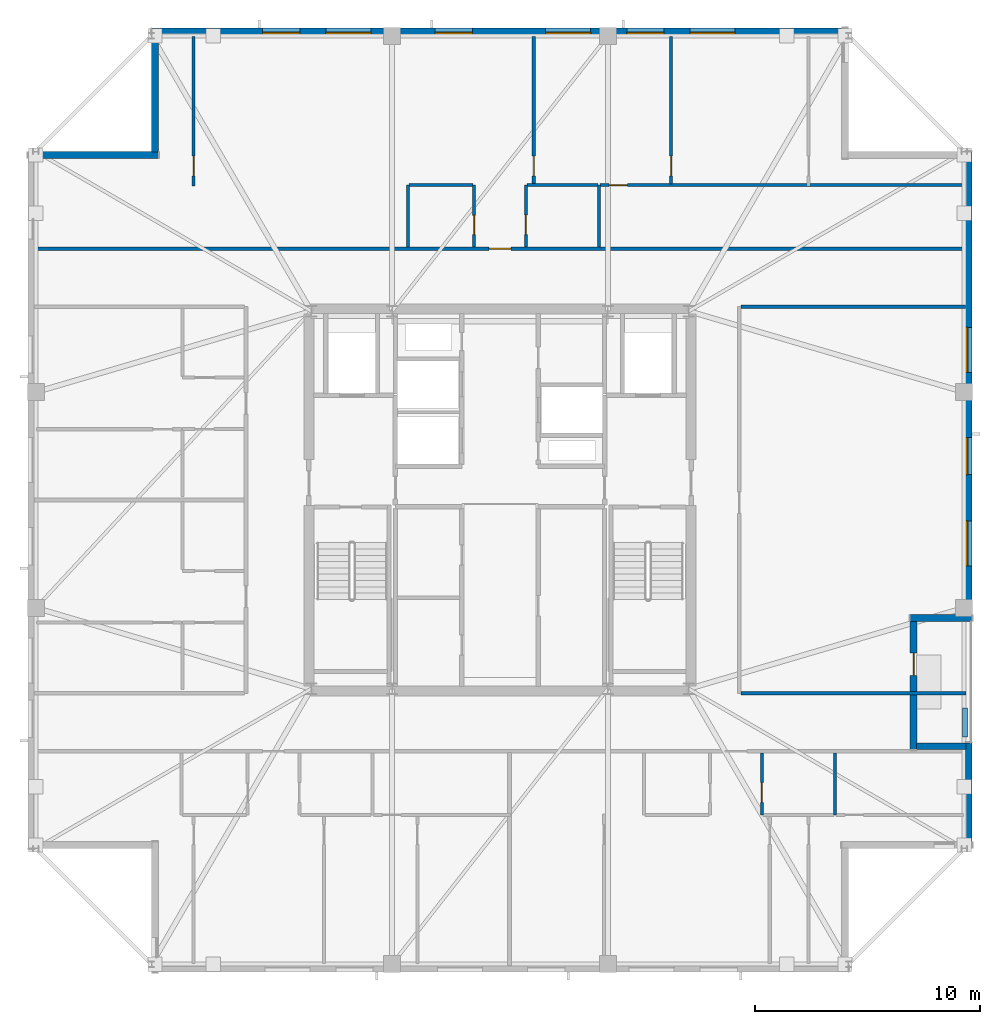
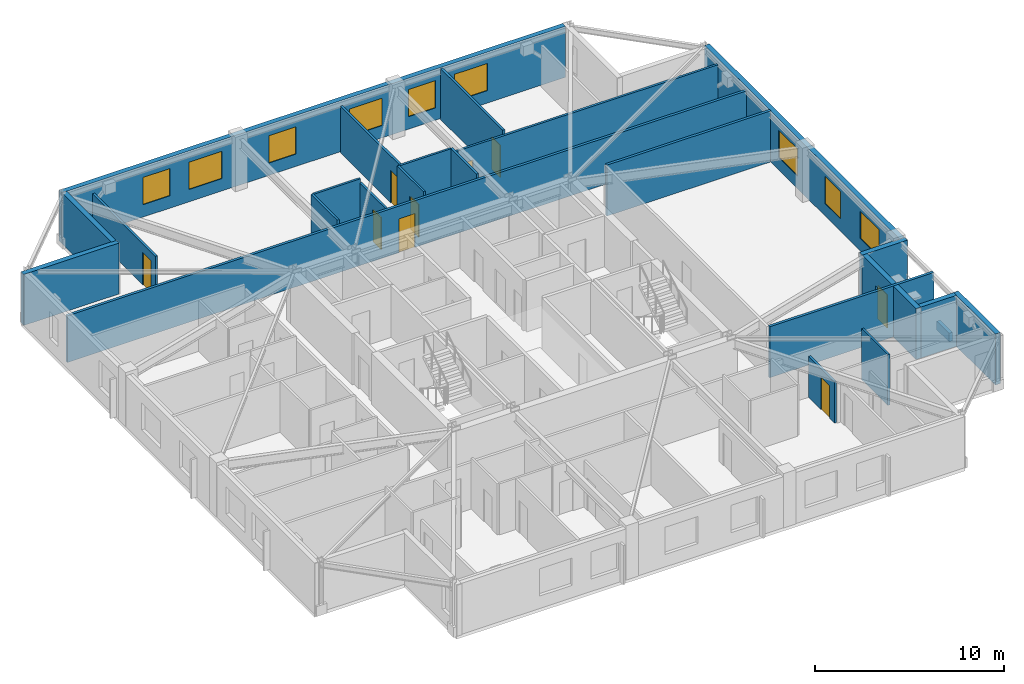
# One storey, part 10 of 15: 24 walls, 9 doors, 9 windows, 18 openings.
"""IFC4 building model written with IfcOpenShell, lengths in metres."""

from ifc_helpers import new_model, si_unit, direction, frame, frame_2d, origin, place, context, subcontext, project, spatial, rectangle, extrude, material, layer, layer_set, type_object, element, fill, save


model = new_model("IFC4")

# Units and contexts
model_context = context("Model", 3, precision=1e-05, world=origin(), true_north=direction((0.0, 1.0)))
body_context = subcontext(model_context, "Body", "Model", "MODEL_VIEW")
ifc_project = project(units=[si_unit("LENGTHUNIT", "METRE"), si_unit("AREAUNIT", "SQUARE_METRE"), si_unit("VOLUMEUNIT", "CUBIC_METRE"), si_unit("PLANEANGLEUNIT", "RADIAN"), si_unit("MASSUNIT", "GRAM", prefix="KILO")], contexts=[model_context])

# Site, building, storey
site_placement = place(None, origin())
site = spatial("IfcSite", under=ifc_project, at=site_placement, CompositionType="ELEMENT")
building_placement = place(site_placement, origin())
building = spatial("IfcBuilding", under=site, at=building_placement, Name="Cairnveth Concourse Tower", CompositionType="ELEMENT")
storey_placement = place(building_placement, frame((0.0, 0.0, 298.0)))
storey = spatial("IfcBuildingStorey", under=building, at=storey_placement, Name="L82", CompositionType="ELEMENT", Elevation=298.0)

# Wall, opening, door
ifc_material_1 = material(Name="Gypsum Plasterboard Partition", Category="gypsum")
ifc_layer_1 = layer(ifc_material_1, 0.159912109375)
ifc_layer_set_1 = layer_set([ifc_layer_1], Name="Gypsum Plasterboard Partition")
wall_type_1 = type_object("IfcWallType", Name="ACOUSTIC PARTY WALL 180", PredefinedType="PARTITIONING", material=ifc_layer_set_1)
wall_1_placement = place(storey_placement, frame((31.284912109375, 50.177490234375, 0.0), z_axis=(0.0, 0.0, 1.0), x_axis=(1.0, 0.0, 0.0)))
wall_1 = element("IfcWall", 1, at=wall_1_placement, inside=storey, type_object=wall_type_1, Name="Interior Wall IW-L82-035", PredefinedType="PARTITIONING", context=body_context, shape_type="SweptSolid", body=[
    extrude(rectangle(XDim=41.43017578125, YDim=0.159912109375, at=frame_2d((20.715087890625, 0.0))), origin(), (0.0, 0.0, 1.0), 3.009033203125),
])
opening_1_placement = place(wall_1_placement, frame((20.235107421875, 0.0, 0.0)))
opening_1 = element("IfcOpeningElement", 2, at=opening_1_placement, cuts=wall_1, Name="Opening ID10", PredefinedType="OPENING", context=body_context, shape_type="SweptSolid", body=[
    extrude(rectangle(XDim=0.9599609375, YDim=2.179931640625, at=frame_2d((0.47998046875, 1.08984375))), frame((0.0, 0.08984375, 0.0), z_axis=(0.0, -1.0, 0.0), x_axis=(1.0, 0.0, 0.0)), (0.0, 0.0, 1.0), 0.179931640625),
])
ifc_material_2 = material(Name="Solid Core Hardwood Timber Leaf", Category="wood")
door_type_1 = type_object("IfcDoorType", Name="FLAT ENTRANCE DOOR 960X2150", OperationType="NOTDEFINED", PredefinedType="DOOR", material=ifc_material_2)
door_1_placement = place(opening_1_placement, origin())
door_1 = element("IfcDoor", 3, at=door_1_placement, inside=storey, type_object=door_type_1, Name="Penthouse L82PN1 Entrance Door", OperationType="SINGLE_SWING_LEFT", OverallHeight=2.179931640625, OverallWidth=0.9599609375, PredefinedType="DOOR", context=body_context, shape_type="SweptSolid", body=[
    extrude(rectangle(XDim=0.9599609375, YDim=2.179931640625, at=frame_2d((0.47998046875, 1.08984375))), frame((0.0, 0.02490234375, 0.0), z_axis=(0.0, -1.0, 0.0), x_axis=(1.0, 0.0, 0.0)), (0.0, 0.0, 1.0), 0.050048828125),
])
fill(opening_1, door_1)

# Walls
wall_2_placement = place(storey_placement, frame((62.715087890625, 30.39990234375, 0.0), z_axis=(0.0, 0.0, 1.0), x_axis=(1.0, 0.0, 0.0)))
element("IfcWall", 4, at=wall_2_placement, inside=storey, type_object=wall_type_1, Name="Interior Wall IW-L82-040", PredefinedType="PARTITIONING", context=body_context, shape_type="SweptSolid", body=[
    extrude(rectangle(XDim=10.014892578125, YDim=0.159912109375, at=frame_2d((5.00732421875, 0.0))), origin(), (0.0, 0.0, 1.0), 3.2900390625),
])
wall_3_placement = place(storey_placement, frame((62.715087890625, 47.60009765625, 0.0), z_axis=(0.0, 0.0, 1.0), x_axis=(1.0, 0.0, 0.0)))
element("IfcWall", 5, at=wall_3_placement, inside=storey, type_object=wall_type_1, Name="Interior Wall IW-L82-041", PredefinedType="PARTITIONING", context=body_context, shape_type="SweptSolid", body=[
    extrude(rectangle(XDim=10.0, YDim=0.159912109375, at=frame_2d((5.0, 0.0))), origin(), (0.0, 0.0, 1.0), 3.2900390625),
])

# Wall, opening, door
ifc_layer_2 = layer(ifc_material_1, 0.139892578125)
ifc_layer_set_2 = layer_set([ifc_layer_2], Name="Gypsum Plasterboard Partition")
wall_type_2 = type_object("IfcWallType", Name="GYPSUM STUD PARTITION 140", PredefinedType="PARTITIONING", material=ifc_layer_set_2)
wall_4_placement = place(storey_placement, frame((38.3701171875, 52.967529296875, 0.0), z_axis=(0.0, 0.0, 1.0), x_axis=(0.0, 1.0, 0.0)))
wall_4 = element("IfcWall", 6, at=wall_4_placement, inside=storey, type_object=wall_type_2, Name="Interior Wall IW-L82-069", PredefinedType="PARTITIONING", context=body_context, shape_type="SweptSolid", body=[
    extrude(rectangle(XDim=6.652587890625, YDim=0.139892578125, at=frame_2d((3.326171875, 0.0))), origin(), (0.0, 0.0, 1.0), 2.653076171875),
])
opening_2_placement = place(wall_4_placement, frame((0.449951171875, 0.0, 0.0)))
opening_2 = element("IfcOpeningElement", 7, at=opening_2_placement, cuts=wall_4, Name="Opening ID18", PredefinedType="OPENING", context=body_context, shape_type="SweptSolid", body=[
    extrude(rectangle(XDim=0.8798828125, YDim=2.10009765625, at=frame_2d((0.43994140625, 1.050048828125))), frame((0.0, 0.079833984375, 0.0), z_axis=(0.0, -1.0, 0.0), x_axis=(1.0, 0.0, 0.0)), (0.0, 0.0, 1.0), 0.159912109375),
])
door_type_2 = type_object("IfcDoorType", Name="INTERIOR SINGLE DOOR 880X2100", OperationType="NOTDEFINED", PredefinedType="DOOR", material=ifc_material_2)
door_2_placement = place(opening_2_placement, origin())
door_2 = element("IfcDoor", 8, at=door_2_placement, inside=storey, type_object=door_type_2, Name="L82PN1 Master Bedroom Door", OperationType="SINGLE_SWING_RIGHT", OverallHeight=2.10009765625, OverallWidth=0.8798828125, PredefinedType="DOOR", context=body_context, shape_type="SweptSolid", body=[
    extrude(rectangle(XDim=0.8798828125, YDim=2.10009765625, at=frame_2d((0.43994140625, 1.050048828125))), frame((0.0, 0.02490234375, 0.0), z_axis=(0.0, -1.0, 0.0), x_axis=(1.0, 0.0, 0.0)), (0.0, 0.0, 1.0), 0.050048828125),
])
fill(opening_2, door_2)

wall_5_placement = place(storey_placement, frame((56.449951171875, 53.007568359375, 0.0), z_axis=(0.0, 0.0, 1.0), x_axis=(1.0, 0.0, 0.0)))
wall_5 = element("IfcWall", 9, at=wall_5_placement, inside=storey, type_object=wall_type_2, Name="Interior Wall IW-L82-071", PredefinedType="PARTITIONING", context=body_context, shape_type="SweptSolid", body=[
    extrude(rectangle(XDim=16.179931640625, YDim=0.139892578125, at=frame_2d((8.08984375, 0.0))), origin(), (0.0, 0.0, 1.0), 3.009033203125),
])
opening_3_placement = place(wall_5_placement, frame((0.39990234375, 0.0, 0.0)))
opening_3 = element("IfcOpeningElement", 10, at=opening_3_placement, cuts=wall_5, Name="Opening ID22", PredefinedType="OPENING", context=body_context, shape_type="SweptSolid", body=[
    extrude(rectangle(XDim=0.820068359375, YDim=2.10009765625, at=frame_2d((0.41015625, 1.050048828125))), frame((0.0, 0.079833984375, 0.0), z_axis=(0.0, -1.0, 0.0), x_axis=(1.0, 0.0, 0.0)), (0.0, 0.0, 1.0), 0.159912109375),
])
door_type_3 = type_object("IfcDoorType", Name="INTERIOR WC DOOR 820X2100", OperationType="NOTDEFINED", PredefinedType="DOOR", material=ifc_material_2)
door_3_placement = place(opening_3_placement, origin())
door_3 = element("IfcDoor", 11, at=door_3_placement, inside=storey, type_object=door_type_3, Name="L82PN1 Utility Door", OperationType="SINGLE_SWING_LEFT", OverallHeight=2.10009765625, OverallWidth=0.820068359375, PredefinedType="DOOR", context=body_context, shape_type="SweptSolid", body=[
    extrude(rectangle(XDim=0.820068359375, YDim=2.10009765625, at=frame_2d((0.41015625, 1.050048828125))), frame((0.0, 0.02490234375, 0.0), z_axis=(0.0, -1.0, 0.0), x_axis=(1.0, 0.0, 0.0)), (0.0, 0.0, 1.0), 0.050048828125),
])
fill(opening_3, door_3)

wall_6_placement = place(storey_placement, frame((53.5, 53.0576171875, 0.0), z_axis=(0.0, 0.0, 1.0), x_axis=(0.0, 1.0, 0.0)))
wall_6 = element("IfcWall", 12, at=wall_6_placement, inside=storey, type_object=wall_type_2, Name="Interior Wall IW-L82-072", PredefinedType="PARTITIONING", context=body_context, shape_type="SweptSolid", body=[
    extrude(rectangle(XDim=6.5625, YDim=0.139892578125, at=frame_2d((3.28125, 0.0))), origin(), (0.0, 0.0, 1.0), 3.009033203125),
])
opening_4_placement = place(wall_6_placement, frame((0.360107421875, 0.0, 0.0)))
opening_4 = element("IfcOpeningElement", 13, at=opening_4_placement, cuts=wall_6, Name="Opening ID18", PredefinedType="OPENING", context=body_context, shape_type="SweptSolid", body=[
    extrude(rectangle(XDim=0.8798828125, YDim=2.10009765625, at=frame_2d((0.43994140625, 1.050048828125))), frame((0.0, 0.079833984375, 0.0), z_axis=(0.0, -1.0, 0.0), x_axis=(1.0, 0.0, 0.0)), (0.0, 0.0, 1.0), 0.159912109375),
])
door_4_placement = place(opening_4_placement, origin())
door_4 = element("IfcDoor", 14, at=door_4_placement, inside=storey, type_object=door_type_2, Name="L82PN1 Media Lounge Door", OperationType="SINGLE_SWING_LEFT", OverallHeight=2.10009765625, OverallWidth=0.8798828125, PredefinedType="DOOR", context=body_context, shape_type="SweptSolid", body=[
    extrude(rectangle(XDim=0.8798828125, YDim=2.10009765625, at=frame_2d((0.43994140625, 1.050048828125))), frame((0.0, 0.02490234375, 0.0), z_axis=(0.0, -1.0, 0.0), x_axis=(1.0, 0.0, 0.0)), (0.0, 0.0, 1.0), 0.050048828125),
])
fill(opening_4, door_4)

wall_7_placement = place(storey_placement, frame((59.614990234375, 53.0625, 0.0), z_axis=(0.0, 0.0, 1.0), x_axis=(0.0, 1.0, 0.0)))
wall_7 = element("IfcWall", 15, at=wall_7_placement, inside=storey, type_object=wall_type_2, Name="Interior Wall IW-L82-073", PredefinedType="PARTITIONING", context=body_context, shape_type="SweptSolid", body=[
    extrude(rectangle(XDim=6.5576171875, YDim=0.139892578125, at=frame_2d((3.27880859375, 0.0))), origin(), (0.0, 0.0, 1.0), 3.2900390625),
])
opening_5_placement = place(wall_7_placement, frame((0.35498046875, 0.0, 0.0)))
opening_5 = element("IfcOpeningElement", 16, at=opening_5_placement, cuts=wall_7, Name="Opening ID18", PredefinedType="OPENING", context=body_context, shape_type="SweptSolid", body=[
    extrude(rectangle(XDim=0.8798828125, YDim=2.10009765625, at=frame_2d((0.43994140625, 1.050048828125))), frame((0.0, 0.079833984375, 0.0), z_axis=(0.0, -1.0, 0.0), x_axis=(1.0, 0.0, 0.0)), (0.0, 0.0, 1.0), 0.159912109375),
])
door_5_placement = place(opening_5_placement, origin())
door_5 = element("IfcDoor", 17, at=door_5_placement, inside=storey, type_object=door_type_2, Name="L82PN1 Library Salon Door", OperationType="SINGLE_SWING_RIGHT", OverallHeight=2.10009765625, OverallWidth=0.8798828125, PredefinedType="DOOR", context=body_context, shape_type="SweptSolid", body=[
    extrude(rectangle(XDim=0.8798828125, YDim=2.10009765625, at=frame_2d((0.43994140625, 1.050048828125))), frame((0.0, 0.02490234375, 0.0), z_axis=(0.0, -1.0, 0.0), x_axis=(1.0, 0.0, 0.0)), (0.0, 0.0, 1.0), 0.050048828125),
])
fill(opening_5, door_5)

# Walls
ifc_material_3 = material(Name="Dressed Melbourne Bluestone Cladding", Category="masonry")
ifc_layer_3 = layer(ifc_material_3, 0.219970703125)
ifc_layer_set_3 = layer_set([ifc_layer_3], Name="Dressed Melbourne Bluestone Cladding")
wall_type_3 = type_object("IfcWallType", Name="TERRACE PLANTER CURB WALL 220", PredefinedType="PARAPET", material=ifc_layer_set_3)
wall_8_placement = place(storey_placement, frame((72.679931640625, 28.449951171875, 0.0), z_axis=(0.0, 0.0, 1.0), x_axis=(0.0, 1.0, 0.0)))
element("IfcWall", 18, at=wall_8_placement, inside=storey, type_object=wall_type_3, Name="Exterior Wall PLNT-L82-TERR", PredefinedType="PARAPET", context=body_context, shape_type="SweptSolid", body=[
    extrude(rectangle(XDim=1.300048828125, YDim=0.219970703125, at=frame_2d((0.64990234375, 0.0))), origin(), (0.0, 0.0, 1.0), 0.550048828125),
])
ifc_layer_4 = layer(ifc_material_1, 0.1298828125)
ifc_layer_set_4 = layer_set([ifc_layer_4], Name="Gypsum Plasterboard Partition")
wall_type_4 = type_object("IfcWallType", Name="WET AREA PARTITION 140", PredefinedType="PLUMBINGWALL", material=ifc_layer_set_4)
wall_9_placement = place(storey_placement, frame((66.901123046875, 24.992431640625, 0.0), z_axis=(0.0, 0.0, 1.0), x_axis=(0.0, 1.0, 0.0)))
element("IfcWall", 19, at=wall_9_placement, inside=storey, type_object=wall_type_4, Name="Interior Wall IW-L82-056", PredefinedType="PLUMBINGWALL", context=body_context, shape_type="SweptSolid", body=[
    extrude(rectangle(XDim=2.75, YDim=0.1298828125, at=frame_2d((1.375, 0.0))), origin(), (0.0, 0.0, 1.0), 3.2900390625),
])

# Wall, opening, door
wall_10_placement = place(storey_placement, frame((63.651123046875, 24.992431640625, 0.0), z_axis=(0.0, 0.0, 1.0), x_axis=(0.0, 1.0, 0.0)))
wall_10 = element("IfcWall", 20, at=wall_10_placement, inside=storey, type_object=wall_type_4, Name="Interior Wall IW-L82-057", PredefinedType="PLUMBINGWALL", context=body_context, shape_type="SweptSolid", body=[
    extrude(rectangle(XDim=2.75, YDim=0.1298828125, at=frame_2d((1.375, 0.0))), origin(), (0.0, 0.0, 1.0), 2.653076171875),
])
opening_6_placement = place(wall_10_placement, frame((0.550048828125, 0.0, 0.0)))
opening_6 = element("IfcOpeningElement", 21, at=opening_6_placement, cuts=wall_10, Name="Opening ID18", PredefinedType="OPENING", context=body_context, shape_type="SweptSolid", body=[
    extrude(rectangle(XDim=0.8798828125, YDim=2.10009765625, at=frame_2d((0.43994140625, 1.050048828125))), frame((0.0, 0.074951171875, 0.0), z_axis=(0.0, -1.0, 0.0), x_axis=(1.0, 0.0, 0.0)), (0.0, 0.0, 1.0), 0.14990234375),
])
door_6_placement = place(opening_6_placement, origin())
door_6 = element("IfcDoor", 22, at=door_6_placement, inside=storey, type_object=door_type_2, Name="L82PS2 Kitchen Door", OperationType="SINGLE_SWING_RIGHT", OverallHeight=2.10009765625, OverallWidth=0.8798828125, PredefinedType="DOOR", context=body_context, shape_type="SweptSolid", body=[
    extrude(rectangle(XDim=0.8798828125, YDim=2.10009765625, at=frame_2d((0.43994140625, 1.050048828125))), frame((0.0, 0.02490234375, 0.0), z_axis=(0.0, -1.0, 0.0), x_axis=(1.0, 0.0, 0.0)), (0.0, 0.0, 1.0), 0.050048828125),
])
fill(opening_6, door_6)

# Wall
wall_11_placement = place(storey_placement, frame((47.89990234375, 50.257568359375, 0.0), z_axis=(0.0, 0.0, 1.0), x_axis=(0.0, 1.0, 0.0)))
element("IfcWall", 23, at=wall_11_placement, inside=storey, type_object=wall_type_4, Name="Interior Wall IW-L82-063", PredefinedType="PLUMBINGWALL", context=body_context, shape_type="SweptSolid", body=[
    extrude(rectangle(XDim=2.75, YDim=0.1298828125, at=frame_2d((1.375, 0.0))), origin(), (0.0, 0.0, 1.0), 3.2900390625),
])

# Wall, opening, door
wall_12_placement = place(storey_placement, frame((50.85009765625, 50.257568359375, 0.0), z_axis=(0.0, 0.0, 1.0), x_axis=(0.0, 1.0, 0.0)))
wall_12 = element("IfcWall", 24, at=wall_12_placement, inside=storey, type_object=wall_type_4, Name="Interior Wall IW-L82-064", PredefinedType="PLUMBINGWALL", context=body_context, shape_type="SweptSolid", body=[
    extrude(rectangle(XDim=2.75, YDim=0.1298828125, at=frame_2d((1.375, 0.0))), origin(), (0.0, 0.0, 1.0), 3.009033203125),
])
opening_7_placement = place(wall_12_placement, frame((0.550048828125, 0.0, 0.0)))
opening_7 = element("IfcOpeningElement", 25, at=opening_7_placement, cuts=wall_12, Name="Opening ID21", PredefinedType="OPENING", context=body_context, shape_type="SweptSolid", body=[
    extrude(rectangle(XDim=0.85009765625, YDim=2.080078125, at=frame_2d((0.425048828125, 1.0400390625))), frame((0.0, 0.074951171875, 0.0), z_axis=(0.0, -1.0, 0.0), x_axis=(1.0, 0.0, 0.0)), (0.0, 0.0, 1.0), 0.14990234375),
])
door_type_4 = type_object("IfcDoorType", Name="INTERIOR WC DOOR 850X2100", OperationType="NOTDEFINED", PredefinedType="DOOR", material=ifc_material_2)
door_7_placement = place(opening_7_placement, origin())
door_7 = element("IfcDoor", 26, at=door_7_placement, inside=storey, type_object=door_type_4, Name="L82PN1 Bathroom Door", OperationType="SINGLE_SWING_RIGHT", OverallHeight=2.080078125, OverallWidth=0.85009765625, PredefinedType="DOOR", context=body_context, shape_type="SweptSolid", body=[
    extrude(rectangle(XDim=0.85009765625, YDim=2.080078125, at=frame_2d((0.425048828125, 1.0400390625))), frame((0.0, 0.02490234375, 0.0), z_axis=(0.0, -1.0, 0.0), x_axis=(1.0, 0.0, 0.0)), (0.0, 0.0, 1.0), 0.050048828125),
])
fill(opening_7, door_7)

# Walls
wall_13_placement = place(storey_placement, frame((47.949951171875, 53.007568359375, 0.0), z_axis=(0.0, 0.0, 1.0), x_axis=(1.0, 0.0, 0.0)))
element("IfcWall", 27, at=wall_13_placement, inside=storey, type_object=wall_type_4, Name="Interior Wall IW-L82-065", PredefinedType="PLUMBINGWALL", context=body_context, shape_type="SweptSolid", body=[
    extrude(rectangle(XDim=2.85009765625, YDim=0.1298828125, at=frame_2d((1.425048828125, 0.0))), origin(), (0.0, 0.0, 1.0), 3.2900390625),
])
wall_14_placement = place(storey_placement, frame((56.39990234375, 50.257568359375, 0.0), z_axis=(0.0, 0.0, 1.0), x_axis=(0.0, 1.0, 0.0)))
element("IfcWall", 28, at=wall_14_placement, inside=storey, type_object=wall_type_4, Name="Interior Wall IW-L82-066", PredefinedType="PLUMBINGWALL", context=body_context, shape_type="SweptSolid", body=[
    extrude(rectangle(XDim=2.75, YDim=0.1298828125, at=frame_2d((1.375, 0.0))), origin(), (0.0, 0.0, 1.0), 3.2900390625),
])

# Wall, opening, door
wall_15_placement = place(storey_placement, frame((53.14990234375, 50.257568359375, 0.0), z_axis=(0.0, 0.0, 1.0), x_axis=(0.0, 1.0, 0.0)))
wall_15 = element("IfcWall", 29, at=wall_15_placement, inside=storey, type_object=wall_type_4, Name="Interior Wall IW-L82-067", PredefinedType="PLUMBINGWALL", context=body_context, shape_type="SweptSolid", body=[
    extrude(rectangle(XDim=2.75, YDim=0.1298828125, at=frame_2d((1.375, 0.0))), origin(), (0.0, 0.0, 1.0), 3.2900390625),
])
opening_8_placement = place(wall_15_placement, frame((0.550048828125, 0.0, 0.0)))
opening_8 = element("IfcOpeningElement", 30, at=opening_8_placement, cuts=wall_15, Name="Opening ID18", PredefinedType="OPENING", context=body_context, shape_type="SweptSolid", body=[
    extrude(rectangle(XDim=0.8798828125, YDim=2.10009765625, at=frame_2d((0.43994140625, 1.050048828125))), frame((0.0, 0.074951171875, 0.0), z_axis=(0.0, -1.0, 0.0), x_axis=(1.0, 0.0, 0.0)), (0.0, 0.0, 1.0), 0.14990234375),
])
door_8_placement = place(opening_8_placement, origin())
door_8 = element("IfcDoor", 31, at=door_8_placement, inside=storey, type_object=door_type_2, Name="L82PN1 Kitchen Door", OperationType="SINGLE_SWING_LEFT", OverallHeight=2.10009765625, OverallWidth=0.8798828125, PredefinedType="DOOR", context=body_context, shape_type="SweptSolid", body=[
    extrude(rectangle(XDim=0.8798828125, YDim=2.10009765625, at=frame_2d((0.43994140625, 1.050048828125))), frame((0.0, 0.02490234375, 0.0), z_axis=(0.0, -1.0, 0.0), x_axis=(1.0, 0.0, 0.0)), (0.0, 0.0, 1.0), 0.050048828125),
])
fill(opening_8, door_8)

# Walls
wall_16_placement = place(storey_placement, frame((53.199951171875, 53.007568359375, 0.0), z_axis=(0.0, 0.0, 1.0), x_axis=(1.0, 0.0, 0.0)))
element("IfcWall", 32, at=wall_16_placement, inside=storey, type_object=wall_type_4, Name="Interior Wall IW-L82-068", PredefinedType="PLUMBINGWALL", context=body_context, shape_type="SweptSolid", body=[
    extrude(rectangle(XDim=3.150146484375, YDim=0.1298828125, at=frame_2d((1.5751953125, 0.0))), origin(), (0.0, 0.0, 1.0), 3.2900390625),
])
ifc_material_4 = material(Name="Hawthorn Red-Ochre Fired Clay Brick Masonry", Category="masonry")
ifc_layer_5 = layer(ifc_material_4, 0.300048828125)
ifc_layer_set_5 = layer_set([ifc_layer_5], Name="Hawthorn Red-Ochre Fired Clay Brick Masonry")
wall_type_5 = type_object("IfcWallType", Name="ZONE 4 BRICK PIER SPANDREL WALL 300", PredefinedType="SOLIDWALL", material=ifc_layer_set_5)
wall_17_placement = place(storey_placement, frame((72.85009765625, 28.199951171875, 0.0), z_axis=(0.0, 0.0, 1.0), x_axis=(0.0, -1.0, 0.0)))
element("IfcWall", 33, at=wall_17_placement, inside=storey, type_object=wall_type_5, Name="Exterior Wall EW-L82-S00", PredefinedType="SOLIDWALL", context=body_context, shape_type="SweptSolid", body=[
    extrude(rectangle(XDim=4.421875, YDim=0.300048828125, at=frame_2d((2.2109375, 0.0))), origin(), (0.0, 0.0, 1.0), 3.2900390625),
])
wall_18_placement = place(storey_placement, frame((31.0, 54.35009765625, 0.0), z_axis=(0.0, 0.0, 1.0), x_axis=(1.0, 0.0, 0.0)))
element("IfcWall", 34, at=wall_18_placement, inside=storey, type_object=wall_type_5, Name="Exterior Wall EW-L82-S07", PredefinedType="SOLIDWALL", context=body_context, shape_type="SweptSolid", body=[
    extrude(rectangle(XDim=5.800048828125, YDim=0.300048828125, at=frame_2d((2.89990234375, 0.0))), origin(), (0.0, 0.0, 1.0), 3.2900390625),
])
wall_19_placement = place(storey_placement, frame((36.64990234375, 54.47802734375, 0.0), z_axis=(0.0, 0.0, 1.0), x_axis=(0.0, 1.0, 0.0)))
element("IfcWall", 35, at=wall_19_placement, inside=storey, type_object=wall_type_5, Name="Exterior Wall EW-L82-S08", PredefinedType="SOLIDWALL", context=body_context, shape_type="SweptSolid", body=[
    extrude(rectangle(XDim=5.243896484375, YDim=0.300048828125, at=frame_2d((2.6220703125, 0.0))), origin(), (0.0, 0.0, 1.0), 3.2900390625),
])

# Wall, openings, windows
wall_20_placement = place(storey_placement, frame((36.5, 59.85009765625, 0.0), z_axis=(0.0, 0.0, 1.0), x_axis=(1.0, 0.0, 0.0)))
wall_20 = element("IfcWall", 36, at=wall_20_placement, inside=storey, type_object=wall_type_5, Name="Exterior Wall EW-L82-S09", PredefinedType="SOLIDWALL", context=body_context, shape_type="SweptSolid", body=[
    extrude(rectangle(XDim=30.721923828125, YDim=0.300048828125, at=frame_2d((15.36083984375, 0.0))), origin(), (0.0, 0.0, 1.0), 3.2900390625),
])
opening_9_placement = place(wall_20_placement, frame((4.943603515625, 0.0, 0.800048828125)))
opening_9 = element("IfcOpeningElement", 37, at=opening_9_placement, cuts=wall_20, Name="Opening W04", PredefinedType="OPENING", context=body_context, shape_type="SweptSolid", body=[
    extrude(rectangle(XDim=1.64990234375, YDim=1.758056640625, at=frame_2d((0.824951171875, 0.87890625))), frame((0.0, 0.159912109375, 0.0), z_axis=(0.0, -1.0, 0.0), x_axis=(1.0, 0.0, 0.0)), (0.0, 0.0, 1.0), 0.320068359375),
])
opening_10_placement = place(wall_20_placement, frame((7.755615234375, 0.0, 0.800048828125)))
opening_10 = element("IfcOpeningElement", 38, at=opening_10_placement, cuts=wall_20, Name="Opening W09", PredefinedType="OPENING", context=body_context, shape_type="SweptSolid", body=[
    extrude(rectangle(XDim=2.0, YDim=1.758056640625, at=frame_2d((1.0, 0.87890625))), frame((0.0, 0.159912109375, 0.0), z_axis=(0.0, -1.0, 0.0), x_axis=(1.0, 0.0, 0.0)), (0.0, 0.0, 1.0), 0.320068359375),
])
opening_11_placement = place(wall_20_placement, frame((12.617431640625, 0.0, 0.800048828125)))
opening_11 = element("IfcOpeningElement", 39, at=opening_11_placement, cuts=wall_20, Name="Opening W04", PredefinedType="OPENING", context=body_context, shape_type="SweptSolid", body=[
    extrude(rectangle(XDim=1.64990234375, YDim=1.758056640625, at=frame_2d((0.824951171875, 0.87890625))), frame((0.0, 0.159912109375, 0.0), z_axis=(0.0, -1.0, 0.0), x_axis=(1.0, 0.0, 0.0)), (0.0, 0.0, 1.0), 0.320068359375),
])
opening_12_placement = place(wall_20_placement, frame((17.529541015625, 0.0, 0.800048828125)))
opening_12 = element("IfcOpeningElement", 40, at=opening_12_placement, cuts=wall_20, Name="Opening W09", PredefinedType="OPENING", context=body_context, shape_type="SweptSolid", body=[
    extrude(rectangle(XDim=2.0, YDim=1.758056640625, at=frame_2d((1.0, 0.87890625))), frame((0.0, 0.159912109375, 0.0), z_axis=(0.0, -1.0, 0.0), x_axis=(1.0, 0.0, 0.0)), (0.0, 0.0, 1.0), 0.320068359375),
])
opening_13_placement = place(wall_20_placement, frame((21.1416015625, 0.0, 0.800048828125)))
opening_13 = element("IfcOpeningElement", 41, at=opening_13_placement, cuts=wall_20, Name="Opening W04", PredefinedType="OPENING", context=body_context, shape_type="SweptSolid", body=[
    extrude(rectangle(XDim=1.64990234375, YDim=1.758056640625, at=frame_2d((0.824951171875, 0.87890625))), frame((0.0, 0.159912109375, 0.0), z_axis=(0.0, -1.0, 0.0), x_axis=(1.0, 0.0, 0.0)), (0.0, 0.0, 1.0), 0.320068359375),
])
opening_14_placement = place(wall_20_placement, frame((23.95361328125, 0.0, 0.800048828125)))
opening_14 = element("IfcOpeningElement", 42, at=opening_14_placement, cuts=wall_20, Name="Opening W09", PredefinedType="OPENING", context=body_context, shape_type="SweptSolid", body=[
    extrude(rectangle(XDim=2.0, YDim=1.758056640625, at=frame_2d((1.0, 0.87890625))), frame((0.0, 0.159912109375, 0.0), z_axis=(0.0, -1.0, 0.0), x_axis=(1.0, 0.0, 0.0)), (0.0, 0.0, 1.0), 0.320068359375),
])
ifc_material_5 = material(Name="Double Glazed Low-E Clear Glass", Category="glass")
window_type_1 = type_object("IfcWindowType", Name="DEEP-SET GOTHIC LANCET WINDOW 1650X1850", PartitioningType="DOUBLE_PANEL_VERTICAL", PredefinedType="WINDOW", material=ifc_material_5)
window_1_placement = place(opening_9_placement, origin())
window_1 = element("IfcWindow", 43, at=window_1_placement, inside=storey, type_object=window_type_1, Name="Gothic Lancet Window L82-9-1", OverallHeight=1.758056640625, OverallWidth=1.64990234375, PartitioningType="SINGLE_PANEL", PredefinedType="WINDOW", context=body_context, shape_type="SweptSolid", body=[
    extrude(rectangle(XDim=1.64990234375, YDim=1.758056640625, at=frame_2d((0.824951171875, 0.87890625))), frame((0.0, -0.050048828125, 0.0), z_axis=(0.0, -1.0, 0.0), x_axis=(1.0, 0.0, 0.0)), (0.0, 0.0, 1.0), 0.06005859375),
])
fill(opening_9, window_1)
window_2_placement = place(opening_11_placement, origin())
window_2 = element("IfcWindow", 44, at=window_2_placement, inside=storey, type_object=window_type_1, Name="Gothic Lancet Window L82-9-3", OverallHeight=1.758056640625, OverallWidth=1.64990234375, PartitioningType="SINGLE_PANEL", PredefinedType="WINDOW", context=body_context, shape_type="SweptSolid", body=[
    extrude(rectangle(XDim=1.64990234375, YDim=1.758056640625, at=frame_2d((0.824951171875, 0.87890625))), frame((0.0, -0.050048828125, 0.0), z_axis=(0.0, -1.0, 0.0), x_axis=(1.0, 0.0, 0.0)), (0.0, 0.0, 1.0), 0.06005859375),
])
fill(opening_11, window_2)
window_3_placement = place(opening_13_placement, origin())
window_3 = element("IfcWindow", 45, at=window_3_placement, inside=storey, type_object=window_type_1, Name="Gothic Lancet Window L82-9-5", OverallHeight=1.758056640625, OverallWidth=1.64990234375, PartitioningType="SINGLE_PANEL", PredefinedType="WINDOW", context=body_context, shape_type="SweptSolid", body=[
    extrude(rectangle(XDim=1.64990234375, YDim=1.758056640625, at=frame_2d((0.824951171875, 0.87890625))), frame((0.0, -0.050048828125, 0.0), z_axis=(0.0, -1.0, 0.0), x_axis=(1.0, 0.0, 0.0)), (0.0, 0.0, 1.0), 0.06005859375),
])
fill(opening_13, window_3)
window_type_2 = type_object("IfcWindowType", Name="DEEP-SET PENTHOUSE LANCET WINDOW 2000X1850", PartitioningType="DOUBLE_PANEL_VERTICAL", PredefinedType="WINDOW", material=ifc_material_5)
window_4_placement = place(opening_10_placement, origin())
window_4 = element("IfcWindow", 46, at=window_4_placement, inside=storey, type_object=window_type_2, Name="Gothic Lancet Window L82-9-2", OverallHeight=1.758056640625, OverallWidth=2.0, PartitioningType="SINGLE_PANEL", PredefinedType="WINDOW", context=body_context, shape_type="SweptSolid", body=[
    extrude(rectangle(XDim=2.0, YDim=1.758056640625, at=frame_2d((1.0, 0.87890625))), frame((0.0, -0.050048828125, 0.0), z_axis=(0.0, -1.0, 0.0), x_axis=(1.0, 0.0, 0.0)), (0.0, 0.0, 1.0), 0.06005859375),
])
fill(opening_10, window_4)
window_5_placement = place(opening_12_placement, origin())
window_5 = element("IfcWindow", 47, at=window_5_placement, inside=storey, type_object=window_type_2, Name="Gothic Lancet Window L82-9-4", OverallHeight=1.758056640625, OverallWidth=2.0, PartitioningType="SINGLE_PANEL", PredefinedType="WINDOW", context=body_context, shape_type="SweptSolid", body=[
    extrude(rectangle(XDim=2.0, YDim=1.758056640625, at=frame_2d((1.0, 0.87890625))), frame((0.0, -0.050048828125, 0.0), z_axis=(0.0, -1.0, 0.0), x_axis=(1.0, 0.0, 0.0)), (0.0, 0.0, 1.0), 0.06005859375),
])
fill(opening_12, window_5)
window_6_placement = place(opening_14_placement, origin())
window_6 = element("IfcWindow", 48, at=window_6_placement, inside=storey, type_object=window_type_2, Name="Gothic Lancet Window L82-9-6", OverallHeight=1.758056640625, OverallWidth=2.0, PartitioningType="SINGLE_PANEL", PredefinedType="WINDOW", context=body_context, shape_type="SweptSolid", body=[
    extrude(rectangle(XDim=2.0, YDim=1.758056640625, at=frame_2d((1.0, 0.87890625))), frame((0.0, -0.050048828125, 0.0), z_axis=(0.0, -1.0, 0.0), x_axis=(1.0, 0.0, 0.0)), (0.0, 0.0, 1.0), 0.06005859375),
])
fill(opening_14, window_6)

wall_21_placement = place(storey_placement, frame((72.85009765625, 54.5, 0.0), z_axis=(0.0, 0.0, 1.0), x_axis=(0.0, -1.0, 0.0)))
wall_21 = element("IfcWall", 49, at=wall_21_placement, inside=storey, type_object=wall_type_5, Name="Exterior Wall EW-L82-S12", PredefinedType="SOLIDWALL", context=body_context, shape_type="SweptSolid", body=[
    extrude(rectangle(XDim=20.6220703125, YDim=0.300048828125, at=frame_2d((10.31103515625, 0.0))), origin(), (0.0, 0.0, 1.0), 3.2900390625),
])
opening_15_placement = place(wall_21_placement, frame((7.82080078125, 0.0, 0.800048828125)))
opening_15 = element("IfcOpeningElement", 50, at=opening_15_placement, cuts=wall_21, Name="Opening W09", PredefinedType="OPENING", context=body_context, shape_type="SweptSolid", body=[
    extrude(rectangle(XDim=2.0, YDim=1.758056640625, at=frame_2d((1.0, 0.87890625))), frame((0.0, 0.159912109375, 0.0), z_axis=(0.0, -1.0, 0.0), x_axis=(1.0, 0.0, 0.0)), (0.0, 0.0, 1.0), 0.320068359375),
])
opening_16_placement = place(wall_21_placement, frame((12.726318359375, 0.0, 0.800048828125)))
opening_16 = element("IfcOpeningElement", 51, at=opening_16_placement, cuts=wall_21, Name="Opening W04", PredefinedType="OPENING", context=body_context, shape_type="SweptSolid", body=[
    extrude(rectangle(XDim=1.64990234375, YDim=1.758056640625, at=frame_2d((0.824951171875, 0.87890625))), frame((0.0, 0.159912109375, 0.0), z_axis=(0.0, -1.0, 0.0), x_axis=(1.0, 0.0, 0.0)), (0.0, 0.0, 1.0), 0.320068359375),
])
opening_17_placement = place(wall_21_placement, frame((16.431884765625, 0.0, 0.800048828125)))
opening_17 = element("IfcOpeningElement", 52, at=opening_17_placement, cuts=wall_21, Name="Opening W09", PredefinedType="OPENING", context=body_context, shape_type="SweptSolid", body=[
    extrude(rectangle(XDim=2.0, YDim=1.758056640625, at=frame_2d((1.0, 0.87890625))), frame((0.0, 0.159912109375, 0.0), z_axis=(0.0, -1.0, 0.0), x_axis=(1.0, 0.0, 0.0)), (0.0, 0.0, 1.0), 0.320068359375),
])
window_7_placement = place(opening_16_placement, origin())
window_7 = element("IfcWindow", 53, at=window_7_placement, inside=storey, type_object=window_type_1, Name="Gothic Lancet Window L82-12-3", OverallHeight=1.758056640625, OverallWidth=1.64990234375, PartitioningType="SINGLE_PANEL", PredefinedType="WINDOW", context=body_context, shape_type="SweptSolid", body=[
    extrude(rectangle(XDim=1.64990234375, YDim=1.758056640625, at=frame_2d((0.824951171875, 0.87890625))), frame((0.0, -0.050048828125, 0.0), z_axis=(0.0, -1.0, 0.0), x_axis=(1.0, 0.0, 0.0)), (0.0, 0.0, 1.0), 0.06005859375),
])
fill(opening_16, window_7)
window_8_placement = place(opening_15_placement, origin())
window_8 = element("IfcWindow", 54, at=window_8_placement, inside=storey, type_object=window_type_2, Name="Gothic Lancet Window L82-12-2", OverallHeight=1.758056640625, OverallWidth=2.0, PartitioningType="SINGLE_PANEL", PredefinedType="WINDOW", context=body_context, shape_type="SweptSolid", body=[
    extrude(rectangle(XDim=2.0, YDim=1.758056640625, at=frame_2d((1.0, 0.87890625))), frame((0.0, -0.050048828125, 0.0), z_axis=(0.0, -1.0, 0.0), x_axis=(1.0, 0.0, 0.0)), (0.0, 0.0, 1.0), 0.06005859375),
])
fill(opening_15, window_8)
window_9_placement = place(opening_17_placement, origin())
window_9 = element("IfcWindow", 55, at=window_9_placement, inside=storey, type_object=window_type_2, Name="Gothic Lancet Window L82-12-4", OverallHeight=1.758056640625, OverallWidth=2.0, PartitioningType="SINGLE_PANEL", PredefinedType="WINDOW", context=body_context, shape_type="SweptSolid", body=[
    extrude(rectangle(XDim=2.0, YDim=1.758056640625, at=frame_2d((1.0, 0.87890625))), frame((0.0, -0.050048828125, 0.0), z_axis=(0.0, -1.0, 0.0), x_axis=(1.0, 0.0, 0.0)), (0.0, 0.0, 1.0), 0.06005859375),
])
fill(opening_17, window_9)

# Wall
wall_22_placement = place(storey_placement, frame((73.0, 33.75, 0.0), z_axis=(0.0, 0.0, 1.0), x_axis=(-1.0, 0.0, 0.0)))
element("IfcWall", 56, at=wall_22_placement, inside=storey, type_object=wall_type_5, Name="Exterior Wall EW-L82-S13", PredefinedType="SOLIDWALL", context=body_context, shape_type="SweptSolid", body=[
    extrude(rectangle(XDim=2.75, YDim=0.300048828125, at=frame_2d((1.375, 0.0))), origin(), (0.0, 0.0, 1.0), 3.2900390625),
])

# Wall, opening, door
wall_23_placement = place(storey_placement, frame((70.39990234375, 33.6220703125, 0.0), z_axis=(0.0, 0.0, 1.0), x_axis=(0.0, -1.0, 0.0)))
wall_23 = element("IfcWall", 57, at=wall_23_placement, inside=storey, type_object=wall_type_5, Name="Exterior Wall EW-L82-S14", PredefinedType="SOLIDWALL", context=body_context, shape_type="SweptSolid", body=[
    extrude(rectangle(XDim=5.72216796875, YDim=0.300048828125, at=frame_2d((2.861083984375, 0.0))), origin(), (0.0, 0.0, 1.0), 3.2900390625),
])
opening_18_placement = place(wall_23_placement, frame((1.43603515625, 0.0, 0.0)))
opening_18 = element("IfcOpeningElement", 58, at=opening_18_placement, cuts=wall_23, Name="Opening ED4", PredefinedType="OPENING", context=body_context, shape_type="SweptSolid", body=[
    extrude(rectangle(XDim=1.0, YDim=2.14990234375, at=frame_2d((0.5, 1.074951171875))), frame((0.0, 0.159912109375, 0.0), z_axis=(0.0, -1.0, 0.0), x_axis=(1.0, 0.0, 0.0)), (0.0, 0.0, 1.0), 0.320068359375),
])
ifc_material_6 = material(Name="Architectural Bronze Anodised Aluminium 6063-T6", Category="aluminium")
door_type_5 = type_object("IfcDoorType", Name="TERRACE GLAZED DOOR 1000X2150", OperationType="NOTDEFINED", PredefinedType="DOOR", material=ifc_material_6)
door_9_placement = place(opening_18_placement, origin())
door_9 = element("IfcDoor", 59, at=door_9_placement, inside=storey, type_object=door_type_5, Name="Spiral Terrace Door L82", OperationType="SINGLE_SWING_LEFT", OverallHeight=2.14990234375, OverallWidth=1.0, PredefinedType="DOOR", context=body_context, shape_type="SweptSolid", body=[
    extrude(rectangle(XDim=1.0, YDim=2.14990234375, at=frame_2d((0.5, 1.074951171875))), frame((0.0, 0.02490234375, 0.0), z_axis=(0.0, -1.0, 0.0), x_axis=(1.0, 0.0, 0.0)), (0.0, 0.0, 1.0), 0.050048828125),
])
fill(opening_18, door_9)

# Wall
wall_24_placement = place(storey_placement, frame((70.528076171875, 28.050048828125, 0.0), z_axis=(0.0, 0.0, 1.0), x_axis=(1.0, 0.0, 0.0)))
element("IfcWall", 60, at=wall_24_placement, inside=storey, type_object=wall_type_5, Name="Exterior Wall EW-L82-S15", PredefinedType="SOLIDWALL", context=body_context, shape_type="SweptSolid", body=[
    extrude(rectangle(XDim=2.19384765625, YDim=0.300048828125, at=frame_2d((1.096923828125, 0.0))), origin(), (0.0, 0.0, 1.0), 3.2900390625),
])

save(model, "model.ifc")
